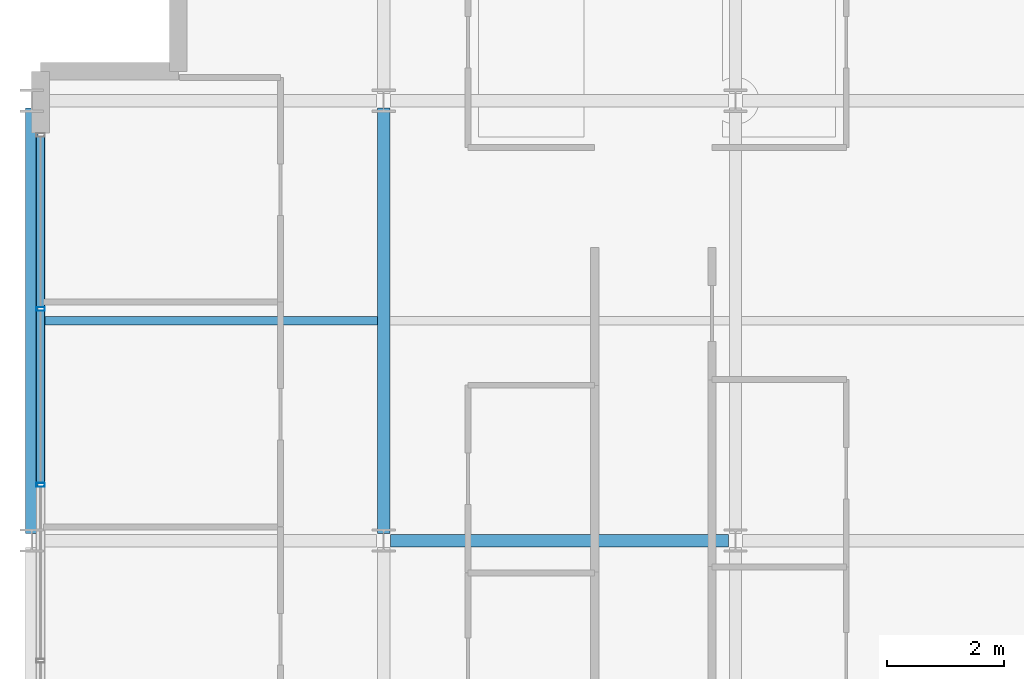
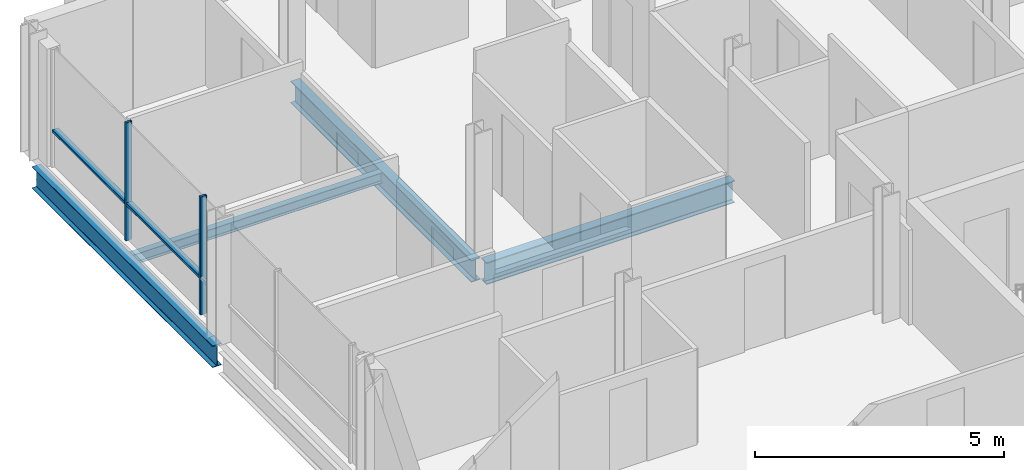
# One storey, part 5 of 27: 4 beams, 4 members, 1 element without a shape of its own.
"""IFC4 building model written with IfcOpenShell, lengths in metres."""

import ifcopenshell
import ifcopenshell.guid

model = None  # the IFC model being written
_history = None  # IfcOwnerHistory: only IFC2X3 demands one
_inside = {}  # id of a spatial element -> (the spatial element, [elements in it])
_under = {}  # id of a project, library or spatial element -> (it, [spatial elements below it])
_declared = {}  # id of a project -> (the project, [libraries it declares])
_typed = {}  # id of a type object -> (the type object, [elements of that type])
_made_of = {}  # id of a material, layer set ... -> (it, [elements and type objects made of it])


def new_model(schema):
    """Start an empty IFC model of exactly this schema.

    Asked for "IFC4X3", IfcOpenShell would pick the latest addendum, in which some entities
    have other attributes; the version numbers below select the first issue.
    IFC2X3 requires an IfcOwnerHistory on every rooted entity: one is made here for all.
    """
    global model, _history
    if schema == "IFC4X3":
        model = ifcopenshell.file(schema_version=(4, 3, 0, 0))
    else:
        model = ifcopenshell.file(schema=schema)
    _inside.clear()
    _under.clear()
    _declared.clear()
    _typed.clear()
    _made_of.clear()
    _history = None
    if model.schema == "IFC2X3":
        org = make("IfcOrganization", Name="unknown")
        user = make(
            "IfcPersonAndOrganization",
            ThePerson=make("IfcPerson", FamilyName="unknown"),
            TheOrganization=org,
        )
        app = make(
            "IfcApplication",
            ApplicationDeveloper=org,
            Version="unknown",
            ApplicationFullName="unknown",
            ApplicationIdentifier="unknown",
        )
        _history = make(
            "IfcOwnerHistory",
            OwningUser=user,
            OwningApplication=app,
            ChangeAction="ADDED",
            CreationDate=0,
        )
    return model


def make(cls, **values):
    """One entity of the class cls with the attributes given. An attribute that is None is left unset."""
    return model.create_entity(
        cls, **{name: value for name, value in values.items() if value is not None}
    )


def rooted(cls, **values):
    """An entity with a GlobalId (a new one), such as an element, a storey or a relation."""
    return make(cls, GlobalId=ifcopenshell.guid.new(), OwnerHistory=_history, **values)


def si_unit(unit_type, name, prefix=None):
    """IfcSIUnit, for example si_unit("LENGTHUNIT", "METRE", prefix="MILLI")."""
    return make("IfcSIUnit", UnitType=unit_type, Prefix=prefix, Name=name)


def assignment(units):
    """IfcUnitAssignment: the units of a project."""
    return None if units is None else make("IfcUnitAssignment", Units=units)


def point(xyz):
    """IfcCartesianPoint."""
    return None if xyz is None else make("IfcCartesianPoint", Coordinates=xyz)


def direction(xyz):
    """IfcDirection."""
    return None if xyz is None else make("IfcDirection", DirectionRatios=xyz)


def frame(location, z_axis=None, x_axis=None):
    """IfcAxis2Placement3D, a coordinate frame: its origin and axes. An axis left out is left unset."""
    return make(
        "IfcAxis2Placement3D",
        Location=point(location),
        Axis=direction(z_axis),
        RefDirection=direction(x_axis),
    )


def frame_2d(location, x_axis=None):
    """IfcAxis2Placement2D, a coordinate frame in the plane: its origin and x axis."""
    return make(
        "IfcAxis2Placement2D", Location=point(location), RefDirection=direction(x_axis)
    )


def origin():
    """The frame at (0, 0, 0) with its axes left unset."""
    return frame((0.0, 0.0, 0.0))


def origin_2d():
    """The frame at (0, 0) in the plane with its x axis left unset."""
    return frame_2d((0.0, 0.0))


def place(relative_to, where):
    """IfcLocalPlacement: puts the frame where relative to a parent placement (None: the world)."""
    return make(
        "IfcLocalPlacement", PlacementRelTo=relative_to, RelativePlacement=where
    )


def context(
    kind, dimensions, precision=None, world=None, true_north=None, identifier=None
):
    """IfcGeometricRepresentationContext, for example the 3D "Model" context."""
    return make(
        "IfcGeometricRepresentationContext",
        ContextIdentifier=identifier,
        ContextType=kind,
        CoordinateSpaceDimension=dimensions,
        Precision=precision,
        WorldCoordinateSystem=world,
        TrueNorth=true_north,
    )


def subcontext(parent, identifier, kind, view, scale=None):
    """IfcGeometricRepresentationSubContext, for example "Body" below "Model"."""
    return make(
        "IfcGeometricRepresentationSubContext",
        ContextIdentifier=identifier,
        ContextType=kind,
        ParentContext=parent,
        TargetScale=scale,
        TargetView=view,
    )


def project(units=None, contexts=None):
    """IfcProject with its units and contexts."""
    return rooted(
        "IfcProject",
        Name="project",
        RepresentationContexts=contexts,
        UnitsInContext=assignment(units),
    )


def spatial(cls, under=None, at=None, **own):
    """A site, building, storey or space (cls), placed at a placement, below another one or the project."""
    s = rooted(cls, ObjectPlacement=at, **own)
    if under is not None:
        _under.setdefault(under.id(), (under, []))[1].append(s)
    return s


def profile(cls, at=None, kind="AREA", **sizes):
    """A parametric profile (cls). Its sizes go by their IFC names, for example OverallWidth=200.0."""
    return make(cls, ProfileType=kind, Position=at, **sizes)


def hollow_rectangle(**sizes):
    """IfcRectangleHollowProfileDef."""
    return profile("IfcRectangleHollowProfileDef", **sizes)


def i_section(**sizes):
    """IfcIShapeProfileDef."""
    return profile("IfcIShapeProfileDef", **sizes)


def extrude(swept, where, along, depth):
    """IfcExtrudedAreaSolid: the profile swept, set in the frame where, extruded along a direction by depth."""
    return make(
        "IfcExtrudedAreaSolid",
        SweptArea=swept,
        Position=where,
        ExtrudedDirection=direction(along),
        Depth=depth,
    )


def shape(context_of_items, identifier, shape_type, items):
    """IfcShapeRepresentation: the items that make up one representation, for example the "Body"."""
    return make(
        "IfcShapeRepresentation",
        ContextOfItems=context_of_items,
        RepresentationIdentifier=identifier,
        RepresentationType=shape_type,
        Items=items,
    )


def material(Name=None, Category=None):
    """IfcMaterial."""
    return make("IfcMaterial", Name=Name, Category=Category)


def layer(
    of_material, thickness, ventilated=None, Name=None, Category=None, Priority=None
):
    """IfcMaterialLayer: one layer of a wall or slab, of a material (None: an air gap)."""
    return make(
        "IfcMaterialLayer",
        Material=of_material,
        LayerThickness=thickness,
        IsVentilated=ventilated,
        Name=Name,
        Category=Category,
        Priority=Priority,
    )


def layer_set(layers, Name=None):
    """IfcMaterialLayerSet."""
    return make("IfcMaterialLayerSet", MaterialLayers=layers, LayerSetName=Name)


def material_profile(
    of_material, cross_section, Name=None, Category=None, Priority=None
):
    """IfcMaterialProfile: a cross section and its material."""
    return make(
        "IfcMaterialProfile",
        Name=Name,
        Material=of_material,
        Profile=cross_section,
        Priority=Priority,
        Category=Category,
    )


def profile_set(profiles, Name=None, composite=None):
    """IfcMaterialProfileSet."""
    return make(
        "IfcMaterialProfileSet",
        Name=Name,
        MaterialProfiles=profiles,
        CompositeProfile=composite,
    )


def made_of(thing, what):
    """Note that an element or type object is made of a material, layer set ...; save() writes the relation."""
    if what is not None:
        _made_of.setdefault(what.id(), (what, []))[1].append(thing)
    return thing


def type_object(cls, material=None, **own):
    """A type object (cls), such as IfcWallType, which elements share."""
    return made_of(rooted(cls, **own), material)


def element(
    cls,
    number,
    at=None,
    inside=None,
    cuts=None,
    type_object=None,
    material=None,
    context=None,
    identifier="Body",
    shape_type=None,
    held_by="IfcProductDefinitionShape",
    body=None,
    shapes=None,
    **own,
):
    """One element of the class cls, such as IfcWall. Its Tag is "e" and its number.

    at: its placement. inside: the storey or other place that contains it. cuts: it is an
    opening in that element (IfcRelVoidsElement). A single representation is given by context,
    identifier, shape_type and body (its items); several are given by shapes. held_by: the class
    of the entity that holds the representations. save() writes the other relations.
    """
    e = rooted(cls, Tag="e%d" % number, ObjectPlacement=at, **own)
    if body is not None:
        shapes = [shape(context, identifier, shape_type, body)]
    if shapes is not None:
        e.Representation = make(held_by, Representations=shapes)
    if inside is not None:
        _inside.setdefault(inside.id(), (inside, []))[1].append(e)
    if cuts is not None:
        rooted(
            "IfcRelVoidsElement", RelatingBuildingElement=cuts, RelatedOpeningElement=e
        )
    if type_object is not None:
        _typed.setdefault(type_object.id(), (type_object, []))[1].append(e)
    return made_of(e, material)


def aggregate(whole, parts):
    """IfcRelAggregates: a whole, such as a stair, and the parts it consists of."""
    return rooted("IfcRelAggregates", RelatingObject=whole, RelatedObjects=parts)


def save(model, path):
    """Write the relations noted so far, then the file.

    IfcRelAggregates (storeys below a building ...), IfcRelContainedInSpatialStructure (elements
    in a storey), IfcRelDefinesByType, IfcRelAssociatesMaterial and IfcRelDeclares: one each for
    every whole, place, type object, material and project.
    """
    for whole, parts in _under.values():
        aggregate(whole, parts)
    for where, things in _inside.values():
        rooted(
            "IfcRelContainedInSpatialStructure",
            RelatedElements=things,
            RelatingStructure=where,
        )
    for kind, things in _typed.values():
        rooted("IfcRelDefinesByType", RelatedObjects=things, RelatingType=kind)
    for what, things in _made_of.values():
        rooted("IfcRelAssociatesMaterial", RelatedObjects=things, RelatingMaterial=what)
    for by, libraries in _declared.values():
        rooted("IfcRelDeclares", RelatingContext=by, RelatedDefinitions=libraries)
    model.write(path)


model = new_model("IFC4")

# Units and contexts
model_context = context("Model", 3, precision=1e-05, world=origin(), true_north=direction((0.0, 1.0)))
body_context = subcontext(model_context, "Body", "Model", "MODEL_VIEW")
ifc_project = project(units=[si_unit("LENGTHUNIT", "METRE"), si_unit("AREAUNIT", "SQUARE_METRE"), si_unit("VOLUMEUNIT", "CUBIC_METRE"), si_unit("PLANEANGLEUNIT", "RADIAN"), si_unit("MASSUNIT", "GRAM", prefix="KILO")], contexts=[model_context])

# Site, building, storey
site_placement = place(None, origin())
site = spatial("IfcSite", under=ifc_project, at=site_placement, CompositionType="ELEMENT")
building_placement = place(site_placement, origin())
building = spatial("IfcBuilding", under=site, at=building_placement, Name="Brevholm Reach", CompositionType="ELEMENT")
storey_placement = place(building_placement, frame((0.0, 0.0, 195.60009765625)))
storey = spatial("IfcBuildingStorey", under=building, at=storey_placement, Name="L59", CompositionType="ELEMENT", Elevation=195.60009765625)

# Beams
ifc_material_1 = material(Name="Structural Steel S355J2", Category="steel")
ifc_material_profile_1 = material_profile(ifc_material_1, i_section(OverallWidth=0.14599609375, OverallDepth=0.25146484375, WebThickness=0.006103515625, FlangeThickness=0.008544921875, FilletRadius=0.007568359375, at=origin_2d()), Name="UKB 254x146x31")
ifc_profile_set_1 = profile_set([ifc_material_profile_1], Name="Structural Steel S355J2")
beam_type_1 = type_object("IfcBeamType", Name="BM-B254", PredefinedType="BEAM", material=ifc_profile_set_1)
beam_1_placement = place(storey_placement, frame((0.104736328125, 19.75, -0.335693359375), z_axis=(1.0, 0.0, 0.0), x_axis=(0.0, 1.0, 0.0)))
element("IfcBeam", 1, at=beam_1_placement, inside=storey, type_object=beam_type_1, Name="L59 Composite Secondary Floor Beam", PredefinedType="BEAM", context=body_context, shape_type="SweptSolid", body=[
    extrude(i_section(OverallWidth=0.14599609375, OverallDepth=0.25146484375, WebThickness=0.006103515625, FlangeThickness=0.008544921875, FilletRadius=0.007568359375, at=origin_2d()), origin(), (0.0, 0.0, 1.0), 5.789794921875),
])
ifc_material_2 = material(Name="Structural Steel S355J2", Category="steel")
ifc_material_profile_2 = material_profile(ifc_material_2, i_section(OverallWidth=0.209228515625, OverallDepth=0.533203125, WebThickness=0.010009765625, FlangeThickness=0.015625, FilletRadius=0.0126953125, at=origin_2d()), Name="UKB 533x210x92")
ifc_profile_set_2 = profile_set([ifc_material_profile_2], Name="Structural Steel S355J2")
beam_type_2 = type_object("IfcBeamType", Name="BM-SP533", PredefinedType="SPANDREL", material=ifc_profile_set_2)
beam_2_placement = place(storey_placement, frame((0.0, 16.1201171875, -0.4765625), z_axis=(0.0, 1.0, 0.0), x_axis=(-1.0, 0.0, 0.0)))
element("IfcBeam", 2, at=beam_2_placement, inside=storey, type_object=beam_type_2, Name="L59 SP-02 Framing Beam", PredefinedType="SPANDREL", context=body_context, shape_type="SweptSolid", body=[
    extrude(i_section(OverallWidth=0.209228515625, OverallDepth=0.533203125, WebThickness=0.010009765625, FlangeThickness=0.015625, FilletRadius=0.0126953125, at=origin_2d()), origin(), (0.0, 0.0, 1.0), 7.259765625),
])
ifc_material_3 = material(Name="Structural Steel S355J2", Category="steel")
ifc_material_profile_3 = material_profile(ifc_material_3, i_section(OverallWidth=0.210693359375, OverallDepth=0.53955078125, WebThickness=0.01171875, FlangeThickness=0.018798828125, FilletRadius=0.0126953125, at=origin_2d()), Name="UKB 533x210x109")
ifc_profile_set_3 = profile_set([ifc_material_profile_3], Name="Structural Steel S355J2")
beam_type_3 = type_object("IfcBeamType", Name="BM-SP539", PredefinedType="SPANDREL", material=ifc_profile_set_3)
beam_3_placement = place(storey_placement, frame((6.1201171875, 16.0, -0.479736328125), z_axis=(1.0, 0.0, 0.0), x_axis=(0.0, 1.0, 0.0)))
element("IfcBeam", 3, at=beam_3_placement, inside=storey, type_object=beam_type_3, Name="L59 SP-01B Framing Beam", PredefinedType="SPANDREL", context=body_context, shape_type="SweptSolid", body=[
    extrude(i_section(OverallWidth=0.210693359375, OverallDepth=0.53955078125, WebThickness=0.01171875, FlangeThickness=0.018798828125, FilletRadius=0.0126953125, at=origin_2d()), origin(), (0.0, 0.0, 1.0), 5.759765625),
])
beam_4_placement = place(storey_placement, frame((6.0, 16.1201171875, -0.479736328125), z_axis=(0.0, 1.0, 0.0), x_axis=(-1.0, 0.0, 0.0)))
element("IfcBeam", 4, at=beam_4_placement, inside=storey, type_object=beam_type_3, Name="L59 SP-01B Framing Beam", PredefinedType="SPANDREL", context=body_context, shape_type="SweptSolid", body=[
    extrude(i_section(OverallWidth=0.210693359375, OverallDepth=0.53955078125, WebThickness=0.01171875, FlangeThickness=0.018798828125, FilletRadius=0.0126953125, at=origin_2d()), origin(), (0.0, 0.0, 1.0), 7.259765625),
])

# Curtain wall, members
ifc_material_4 = material(Name="Dark Anodised Aluminium 6063-T6 and Solar-Control Glass", Category="aluminium")
ifc_layer = layer(ifc_material_4, 0.14990234375)
ifc_layer_set = layer_set([ifc_layer], Name="Dark Anodised Aluminium 6063-T6 and Solar-Control Glass")
curtain_wall_type = type_object("IfcCurtainWallType", Name="CW-01", PredefinedType="NOTDEFINED", material=ifc_layer_set)
curtain_wall_placement = place(storey_placement, origin())
curtain_wall = element("IfcCurtainWall", 5, at=curtain_wall_placement, inside=storey, type_object=curtain_wall_type, Name="L59 Curtain Wall CW-01", PredefinedType="NOTDEFINED")
ifc_material_5 = material(Name="Dark Anodised Aluminium 6063-T6", Category="aluminium")
ifc_material_profile_4 = material_profile(ifc_material_5, hollow_rectangle(XDim=0.06494140625, YDim=0.14990234375, WallThickness=0.0048828125, InnerFilletRadius=0.0048828125, OuterFilletRadius=0.010009765625, at=origin_2d()), Name="RHS 150x65x5")
ifc_profile_set_4 = profile_set([ifc_material_profile_4], Name="Dark Anodised Aluminium 6063-T6")
member_type_1 = type_object("IfcMemberType", Name="CWM-150", PredefinedType="MULLION", material=ifc_profile_set_4)
member_1_placement = place(storey_placement, frame((0.14990234375, 19.949951171875, 0.0), z_axis=(0.0, 0.0, 1.0), x_axis=(0.0, -1.0, 0.0)))
member_1 = element("IfcMember", 6, at=member_1_placement, type_object=member_type_1, Name="CM-150 Mullion 2", PredefinedType="MULLION", context=body_context, shape_type="SweptSolid", body=[
    extrude(hollow_rectangle(XDim=0.06494140625, YDim=0.14990234375, WallThickness=0.0048828125, InnerFilletRadius=0.0048828125, OuterFilletRadius=0.010009765625, at=origin_2d()), origin(), (0.0, 0.0, 1.0), 2.889892578125),
])
member_2_placement = place(storey_placement, frame((0.14990234375, 16.949951171875, 0.0), z_axis=(0.0, 0.0, 1.0), x_axis=(0.0, -1.0, 0.0)))
member_2 = element("IfcMember", 7, at=member_2_placement, type_object=member_type_1, Name="CM-150 Mullion 3", PredefinedType="MULLION", context=body_context, shape_type="SweptSolid", body=[
    extrude(hollow_rectangle(XDim=0.06494140625, YDim=0.14990234375, WallThickness=0.0048828125, InnerFilletRadius=0.0048828125, OuterFilletRadius=0.010009765625, at=origin_2d()), origin(), (0.0, 0.0, 1.0), 2.889892578125),
])
ifc_material_6 = material(Name="Dark Anodised Aluminium 6063-T6", Category="aluminium")
ifc_material_profile_5 = material_profile(ifc_material_6, hollow_rectangle(XDim=0.06494140625, YDim=0.14990234375, WallThickness=0.0048828125, InnerFilletRadius=0.0048828125, OuterFilletRadius=0.010009765625, at=origin_2d()), Name="RHS 150x65x5")
ifc_profile_set_5 = profile_set([ifc_material_profile_5], Name="Dark Anodised Aluminium 6063-T6")
member_type_2 = type_object("IfcMemberType", Name="CWT-150", PredefinedType="NOTDEFINED", material=ifc_profile_set_5)
member_3_placement = place(storey_placement, frame((0.14990234375, 22.885009765625, 0.89990234375), z_axis=(0.0, -1.0, 0.0), x_axis=(0.0, 0.0, 1.0)))
member_3 = element("IfcMember", 8, at=member_3_placement, type_object=member_type_2, Name="CT-150 Transom 1.1", ObjectType="TRANSOM", PredefinedType="USERDEFINED", context=body_context, shape_type="SweptSolid", body=[
    extrude(hollow_rectangle(XDim=0.06494140625, YDim=0.14990234375, WallThickness=0.0048828125, InnerFilletRadius=0.0048828125, OuterFilletRadius=0.010009765625, at=origin_2d()), origin(), (0.0, 0.0, 1.0), 2.902587890625),
])
member_4_placement = place(storey_placement, frame((0.14990234375, 19.91748046875, 0.89990234375), z_axis=(0.0, -1.0, 0.0), x_axis=(0.0, 0.0, 1.0)))
member_4 = element("IfcMember", 9, at=member_4_placement, type_object=member_type_2, Name="CT-150 Transom 2.1", ObjectType="TRANSOM", PredefinedType="USERDEFINED", context=body_context, shape_type="SweptSolid", body=[
    extrude(hollow_rectangle(XDim=0.06494140625, YDim=0.14990234375, WallThickness=0.0048828125, InnerFilletRadius=0.0048828125, OuterFilletRadius=0.010009765625, at=origin_2d()), origin(), (0.0, 0.0, 1.0), 2.93505859375),
])
aggregate(curtain_wall, [member_1, member_2, member_3, member_4])

save(model, "model.ifc")
